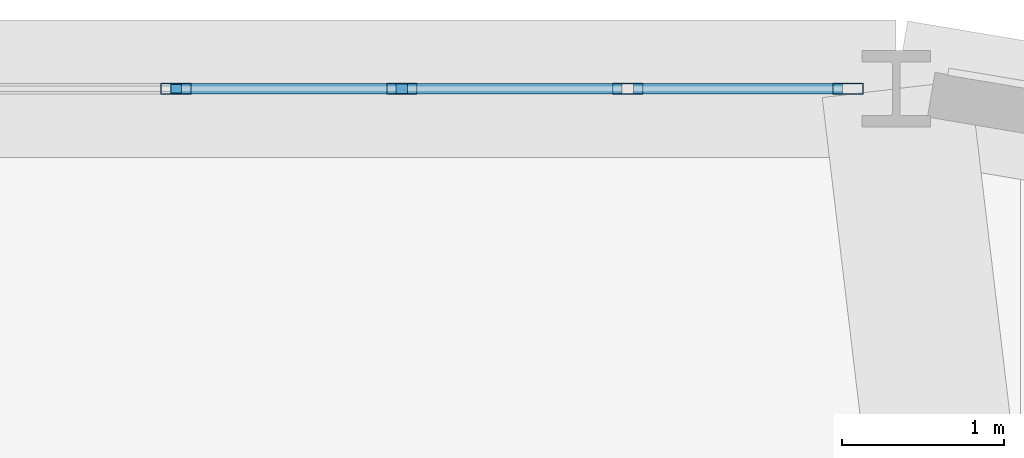
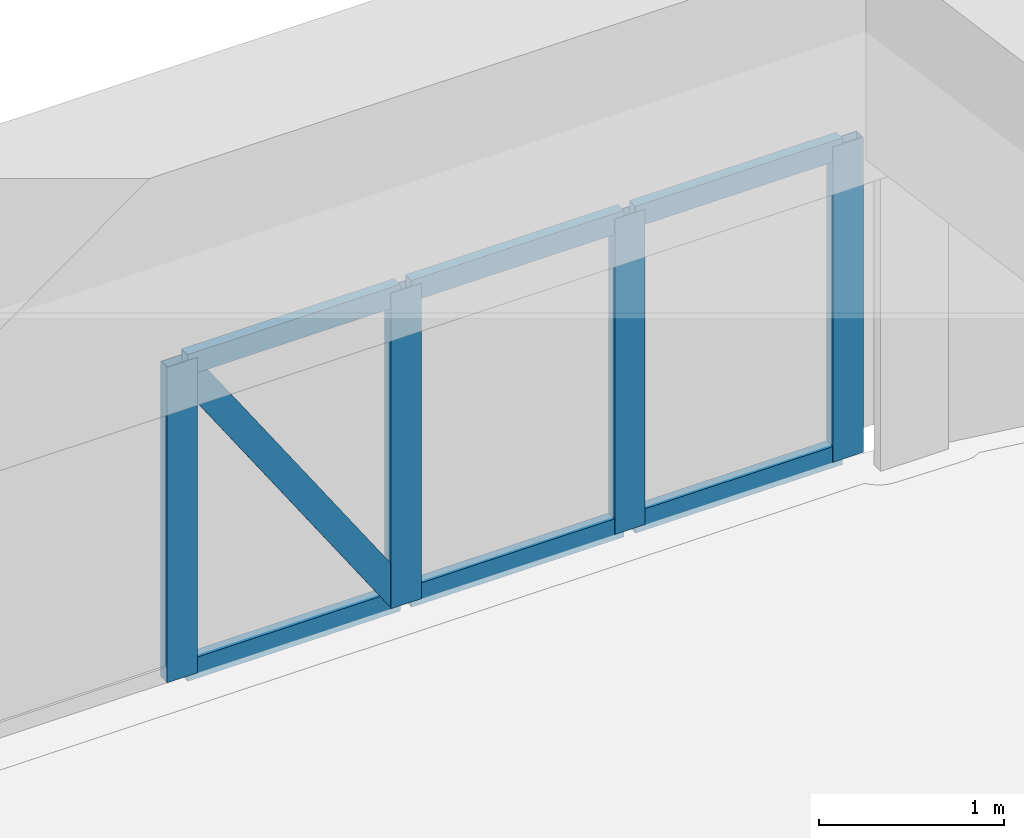
# One storey, part 13 of 20: 11 members, 1 element without a shape of its own.
"""IFC4 building model written with IfcOpenShell, lengths in metres."""

from ifc_helpers import new_model, si_unit, derived_unit, direction, frame, origin, origin_2d, place, context, subcontext, project, spatial, hollow_rectangle, extrude, source, transform, mapped, material, layer, layer_set, material_profile, profile_set, type_object, element, aggregate, save


model = new_model("IFC4")

# Units and contexts
model_context = context("Model", 3, precision=1e-05, world=origin(), true_north=direction((0.0, 1.0)))
body_context = subcontext(model_context, "Body", "Model", "MODEL_VIEW")
ifc_project = project(units=[si_unit("LENGTHUNIT", "METRE"), si_unit("AREAUNIT", "SQUARE_METRE"), si_unit("VOLUMEUNIT", "CUBIC_METRE"), si_unit("PLANEANGLEUNIT", "RADIAN"), si_unit("MASSUNIT", "GRAM", prefix="KILO"), derived_unit("THERMALTRANSMITTANCEUNIT", [(si_unit("POWERUNIT", "WATT"), 1), (si_unit("LENGTHUNIT", "METRE"), -2), (si_unit("THERMODYNAMICTEMPERATUREUNIT", "KELVIN"), -1)])], contexts=[model_context])

# Site, building, storey
site_placement = place(None, origin())
site = spatial("IfcSite", under=ifc_project, at=site_placement, CompositionType="ELEMENT")
building_placement = place(site_placement, origin())
building = spatial("IfcBuilding", under=site, at=building_placement, Name="Korsvarv Bourse and Concert Hall", CompositionType="ELEMENT")
storey_placement = place(building_placement, frame((0.0, 0.0, 39.60009765625)))
storey = spatial("IfcBuildingStorey", under=building, at=storey_placement, Name="L09", CompositionType="ELEMENT", Elevation=39.60009765625)

# Curtain wall, members
ifc_material_1 = material(Name="Anodised aluminium and triple low-E glazing", Category="glass")
ifc_layer = layer(ifc_material_1, 0.219970703125)
ifc_layer_set = layer_set([ifc_layer], Name="Anodised aluminium and triple low-E glazing")
curtain_wall_type = type_object("IfcCurtainWallType", Name="CW-SYS-1", PredefinedType="NOTDEFINED", material=ifc_layer_set)
curtain_wall_placement = place(storey_placement, origin())
curtain_wall = element("IfcCurtainWall", 1, at=curtain_wall_placement, inside=storey, type_object=curtain_wall_type, Name="L09 CW1 curtain wall CW-L09-F03", PredefinedType="NOTDEFINED")
ifc_material_2 = material(Name="Extruded aluminium EN AW-6063 T66", Category="aluminium")
ifc_material_profile_1 = material_profile(ifc_material_2, hollow_rectangle(XDim=0.070068359375, YDim=0.18994140625, WallThickness=0.0048828125, at=origin_2d()), Name="ALU-M 70x190")
ifc_profile_set_1 = profile_set([ifc_material_profile_1], Name="Extruded aluminium EN AW-6063 T66")
member_type_1 = type_object("IfcMemberType", Name="CWM-190", PredefinedType="MULLION", material=ifc_profile_set_1)
shared_shape_1 = source(origin(), body_context, "Body", "SweptSolid", [
    extrude(hollow_rectangle(XDim=0.070068359375, YDim=0.18994140625, WallThickness=0.0048828125, at=origin_2d()), origin(), (0.0, 0.0, 1.0), 2.079833984375),
])
member_1_placement = place(storey_placement, frame((43.64404296875, 57.401611328125, 0.0), z_axis=(0.0, 0.0, 1.0), x_axis=(0.0, -1.0, 0.0)))
member_1 = element("IfcMember", 2, at=member_1_placement, type_object=member_type_1, Name="CW1 mullion 1", PredefinedType="MULLION", context=body_context, shape_type="MappedRepresentation", body=[
    mapped(shared_shape_1, transform((0.0, 0.0, 0.0), scale=1.0)),
])
member_2_placement = place(storey_placement, frame((42.282958984375, 57.401611328125, 0.0), z_axis=(0.0, 0.0, 1.0), x_axis=(0.0, -1.0, 0.0)))
member_2 = element("IfcMember", 3, at=member_2_placement, type_object=member_type_1, Name="CW1 mullion 2", PredefinedType="MULLION", context=body_context, shape_type="MappedRepresentation", body=[
    mapped(shared_shape_1, transform((0.0, 0.0, 0.0), scale=1.0)),
])
member_3_placement = place(storey_placement, frame((40.88671875, 57.401611328125, 0.0), z_axis=(0.0, 0.0, 1.0), x_axis=(0.0, -1.0, 0.0)))
member_3 = element("IfcMember", 4, at=member_3_placement, type_object=member_type_1, Name="CW1 mullion 3", PredefinedType="MULLION", context=body_context, shape_type="MappedRepresentation", body=[
    mapped(shared_shape_1, transform((0.0, 0.0, 0.0), scale=1.0)),
])
member_4_placement = place(storey_placement, frame((39.490478515625, 57.401611328125, 0.0), z_axis=(0.0, 0.0, 1.0), x_axis=(0.0, -1.0, 0.0)))
member_4 = element("IfcMember", 5, at=member_4_placement, type_object=member_type_1, Name="CW1 mullion 4", PredefinedType="MULLION", context=body_context, shape_type="MappedRepresentation", body=[
    mapped(shared_shape_1, transform((0.0, 0.0, 0.0), scale=1.0)),
])
ifc_material_profile_2 = material_profile(ifc_material_2, hollow_rectangle(XDim=0.06494140625, YDim=0.139892578125, WallThickness=0.00390625, at=origin_2d()), Name="ALU-T 65x140")
ifc_profile_set_2 = profile_set([ifc_material_profile_2], Name="Extruded aluminium EN AW-6063 T66")
member_type_2 = type_object("IfcMemberType", Name="CWT-140", PredefinedType="USERDEFINED", material=ifc_profile_set_2)
shared_shape_2 = source(origin(), body_context, "Body", "SweptSolid", [
    extrude(hollow_rectangle(XDim=0.06494140625, YDim=0.139892578125, WallThickness=0.00390625, at=origin_2d()), origin(), (0.0, 0.0, 1.0), 1.291259765625),
])
member_5_placement = place(storey_placement, frame((43.609130859375, 57.401611328125, 0.032470703125), z_axis=(-1.0, 0.0, 0.0), x_axis=(0.0, -1.0, 0.0)))
member_5 = element("IfcMember", 6, at=member_5_placement, type_object=member_type_2, Name="CW1 transom 1.1", ObjectType="TRANSOM", PredefinedType="USERDEFINED", context=body_context, shape_type="MappedRepresentation", body=[
    mapped(shared_shape_2, transform((0.0, 0.0, 0.0), scale=1.0)),
])
member_6_placement = place(storey_placement, frame((43.609130859375, 57.401611328125, 2.04736328125), z_axis=(-1.0, 0.0, 0.0), x_axis=(0.0, -1.0, 0.0)))
member_6 = element("IfcMember", 7, at=member_6_placement, type_object=member_type_2, Name="CW1 transom 1.2", ObjectType="TRANSOM", PredefinedType="USERDEFINED", context=body_context, shape_type="MappedRepresentation", body=[
    mapped(shared_shape_2, transform((0.0, 0.0, 0.0), scale=1.0)),
])
shared_shape_3 = source(origin(), body_context, "Body", "SweptSolid", [
    extrude(hollow_rectangle(XDim=0.06494140625, YDim=0.139892578125, WallThickness=0.00390625, at=origin_2d()), origin(), (0.0, 0.0, 1.0), 1.326171875),
])
member_7_placement = place(storey_placement, frame((42.247802734375, 57.401611328125, 0.032470703125), z_axis=(-1.0, 0.0, 0.0), x_axis=(0.0, -1.0, 0.0)))
member_7 = element("IfcMember", 8, at=member_7_placement, type_object=member_type_2, Name="CW1 transom 2.1", ObjectType="TRANSOM", PredefinedType="USERDEFINED", context=body_context, shape_type="MappedRepresentation", body=[
    mapped(shared_shape_3, transform((0.0, 0.0, 0.0), scale=1.0)),
])
member_8_placement = place(storey_placement, frame((42.247802734375, 57.401611328125, 2.04736328125), z_axis=(-1.0, 0.0, 0.0), x_axis=(0.0, -1.0, 0.0)))
member_8 = element("IfcMember", 9, at=member_8_placement, type_object=member_type_2, Name="CW1 transom 2.2", ObjectType="TRANSOM", PredefinedType="USERDEFINED", context=body_context, shape_type="MappedRepresentation", body=[
    mapped(shared_shape_3, transform((0.0, 0.0, 0.0), scale=1.0)),
])
shared_shape_4 = source(origin(), body_context, "Body", "SweptSolid", [
    extrude(hollow_rectangle(XDim=0.06494140625, YDim=0.139892578125, WallThickness=0.00390625, at=origin_2d()), origin(), (0.0, 0.0, 1.0), 1.326416015625),
])
member_9_placement = place(storey_placement, frame((40.851806640625, 57.401611328125, 0.032470703125), z_axis=(-1.0, 0.0, 0.0), x_axis=(0.0, -1.0, 0.0)))
member_9 = element("IfcMember", 10, at=member_9_placement, type_object=member_type_2, Name="CW1 transom 3.1", ObjectType="TRANSOM", PredefinedType="USERDEFINED", context=body_context, shape_type="MappedRepresentation", body=[
    mapped(shared_shape_4, transform((0.0, 0.0, 0.0), scale=1.0)),
])
member_10_placement = place(storey_placement, frame((40.851806640625, 57.401611328125, 2.04736328125), z_axis=(-1.0, 0.0, 0.0), x_axis=(0.0, -1.0, 0.0)))
member_10 = element("IfcMember", 11, at=member_10_placement, type_object=member_type_2, Name="CW1 transom 3.2", ObjectType="TRANSOM", PredefinedType="USERDEFINED", context=body_context, shape_type="MappedRepresentation", body=[
    mapped(shared_shape_4, transform((0.0, 0.0, 0.0), scale=1.0)),
])
ifc_material_profile_3 = material_profile(ifc_material_2, hollow_rectangle(XDim=0.06494140625, YDim=0.1650390625, WallThickness=0.0048828125, at=origin_2d()), Name="ALU-M 65x165")
ifc_profile_set_3 = profile_set([ifc_material_profile_3], Name="Extruded aluminium EN AW-6063 T66")
member_type_3 = type_object("IfcMemberType", Name="CWM-165", PredefinedType="MULLION", material=ifc_profile_set_3)
shared_shape_5 = source(origin(), body_context, "Body", "SweptSolid", [
    extrude(hollow_rectangle(XDim=0.06494140625, YDim=0.1650390625, WallThickness=0.0048828125, at=origin_2d()), origin(), (0.0, 0.0, 1.0), 2.3583984375),
])
member_11_placement = place(storey_placement, frame((40.851806640625, 57.401611328125, 0.06494140625), z_axis=(-0.562440267615, 0.0, 0.826837919647), x_axis=(0.0, -1.0, 0.0)))
member_11 = element("IfcMember", 12, at=member_11_placement, type_object=member_type_3, Name="CW1 diagonal mullion 3", PredefinedType="MULLION", context=body_context, shape_type="MappedRepresentation", body=[
    mapped(shared_shape_5, transform((0.0, 0.0, 0.0), scale=1.0)),
])
aggregate(curtain_wall, [member_1, member_2, member_3, member_4, member_5, member_6, member_7, member_8, member_9, member_10, member_11])

save(model, "model.ifc")
